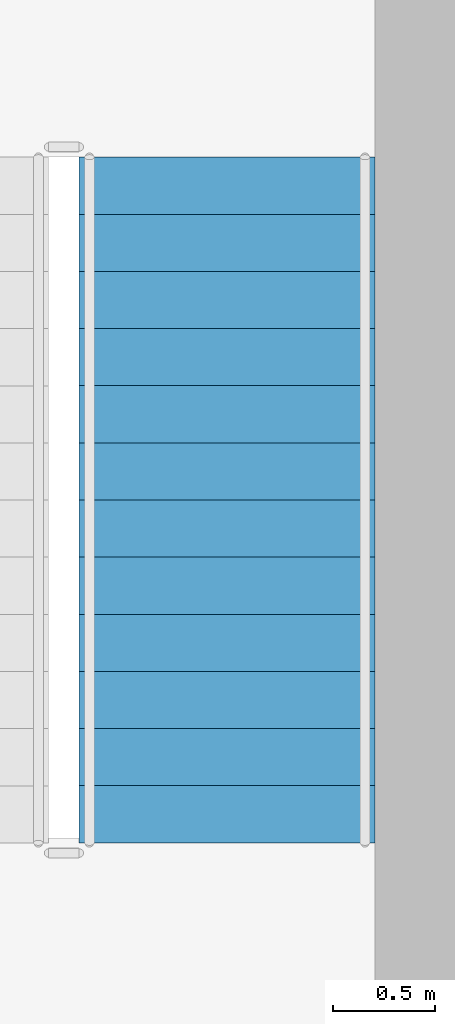
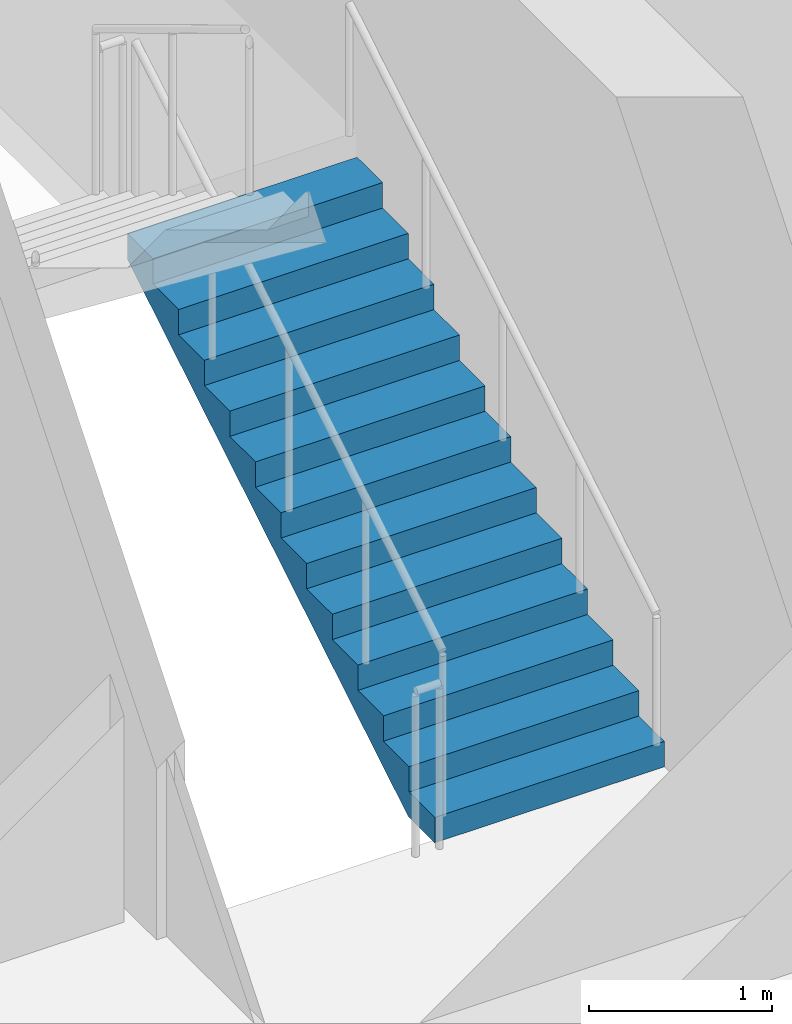
# One storey, part 31 of 35: 1 stair flight, 1 element without a shape of its own.
"""IFC4 building model written with IfcOpenShell, lengths in metres."""

from ifc_helpers import new_model, si_unit, direction, frame, origin, place, context, subcontext, project, spatial, polyline, outline, extrude, material, type_object, element, aggregate, save


model = new_model("IFC4")

# Units and contexts
model_context = context("Model", 3, precision=1e-05, world=origin(), true_north=direction((0.0, 1.0)))
body_context = subcontext(model_context, "Body", "Model", "MODEL_VIEW")
ifc_project = project(units=[si_unit("LENGTHUNIT", "METRE"), si_unit("AREAUNIT", "SQUARE_METRE"), si_unit("VOLUMEUNIT", "CUBIC_METRE"), si_unit("PLANEANGLEUNIT", "RADIAN"), si_unit("MASSUNIT", "GRAM", prefix="KILO")], contexts=[model_context])

# Site, building, storey
site_placement = place(None, origin())
site = spatial("IfcSite", under=ifc_project, at=site_placement, CompositionType="ELEMENT")
building_placement = place(site_placement, origin())
building = spatial("IfcBuilding", under=site, at=building_placement, Name="Saevonmaru Cultural Tower", CompositionType="ELEMENT")
storey_placement = place(building_placement, frame((0.0, 0.0, 101.60009765625)))
storey = spatial("IfcBuildingStorey", under=building, at=storey_placement, Name="L21", CompositionType="ELEMENT", Elevation=101.60009765625)

# Stair, stair flight
ifc_material_1 = material(Name="Concrete C40/50", Category="concrete")
stair_type = type_object("IfcStairType", Name="STR-DOGLEG-RC", PredefinedType="HALF_TURN_STAIR", material=ifc_material_1)
stair_placement = place(storey_placement, origin())
stair = element("IfcStair", 1, at=stair_placement, inside=storey, type_object=stair_type, Name="L21 Protected exit stair ST-2", PredefinedType="HALF_TURN_STAIR")
ifc_material_2 = material(Name="Precast concrete C40/50", Category="concrete")
stair_flight_type = type_object("IfcStairFlightType", Name="STF-PRECAST-180", PredefinedType="STRAIGHT", material=ifc_material_2)
stair_flight_placement = place(storey_placement, frame((45.074951171875, 44.85009765625, 0.0), z_axis=(0.0, 0.0, 1.0), x_axis=(0.0, 1.0, 0.0)))
stair_flight = element("IfcStairFlight", 2, at=stair_flight_placement, type_object=stair_flight_type, Name="ST-2-L21 flight 1", NumberOfRisers=13, NumberOfTreads=12, PredefinedType="STRAIGHT", RiserHeight=0.169230769, TreadLength=0.28, context=body_context, shape_type="SweptSolid", body=[
    extrude(outline(polyline([(0.0, 0.0), (0.0, 0.169189453125), (0.280029296875, 0.169189453125), (0.280029296875, 0.33837890625), (0.56005859375, 0.33837890625), (0.56005859375, 0.5078125), (0.840087890625, 0.5078125), (0.840087890625, 0.677001953125), (1.1201171875, 0.677001953125), (1.1201171875, 0.84619140625), (1.39990234375, 0.84619140625), (1.39990234375, 1.015380859375), (1.679931640625, 1.015380859375), (1.679931640625, 1.1845703125), (1.9599609375, 1.1845703125), (1.9599609375, 1.353759765625), (2.239990234375, 1.353759765625), (2.239990234375, 1.523193359375), (2.52001953125, 1.523193359375), (2.52001953125, 1.6923828125), (2.800048828125, 1.6923828125), (2.800048828125, 1.861572265625), (3.080078125, 1.861572265625), (3.080078125, 2.03076171875), (3.360107421875, 2.03076171875), (3.360107421875, 2.199951171875), (3.360107421875, 1.855712890625), (0.289794921875, 0.0), (0.0, 0.0)])), frame((0.0, 0.72509765625, 0.0), z_axis=(0.0, -1.0, 0.0), x_axis=(1.0, 0.0, 0.0)), (0.0, 0.0, 1.0), 1.449951171875),
])
aggregate(stair, [stair_flight])

save(model, "model.ifc")
